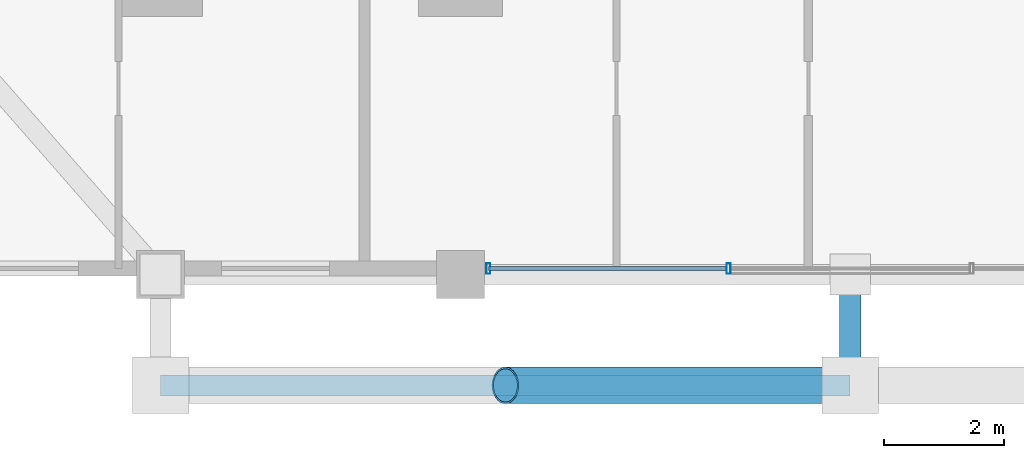
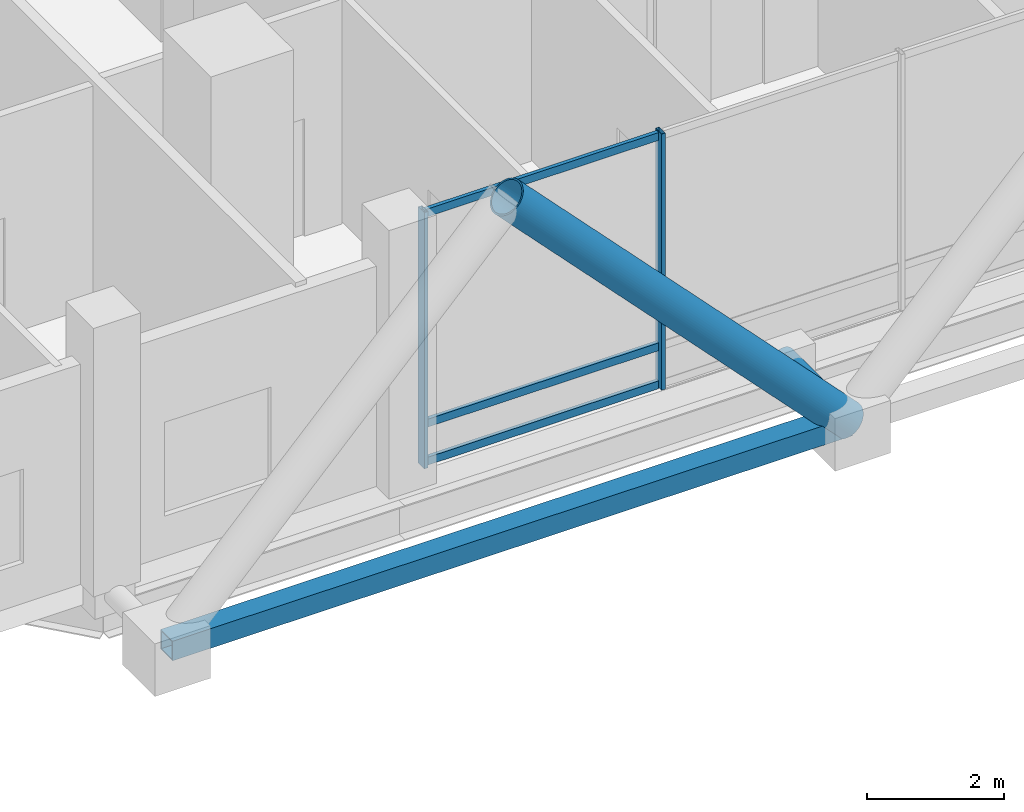
# One storey, part 2 of 33: 8 members, 1 element without a shape of its own.
"""IFC4 building model written with IfcOpenShell, lengths in metres."""

from ifc_helpers import new_model, si_unit, direction, frame, origin, origin_2d, place, context, subcontext, project, spatial, hollow_rectangle, hollow_circle, extrude, material, layer, layer_set, material_profile, profile_set, type_object, element, aggregate, save


model = new_model("IFC4")

# Units and contexts
model_context = context("Model", 3, precision=1e-05, world=origin(), true_north=direction((0.0, 1.0)))
body_context = subcontext(model_context, "Body", "Model", "MODEL_VIEW")
ifc_project = project(units=[si_unit("LENGTHUNIT", "METRE"), si_unit("AREAUNIT", "SQUARE_METRE"), si_unit("VOLUMEUNIT", "CUBIC_METRE"), si_unit("PLANEANGLEUNIT", "RADIAN"), si_unit("MASSUNIT", "GRAM", prefix="KILO")], contexts=[model_context])

# Site, building, storey
site_placement = place(None, origin())
site = spatial("IfcSite", under=ifc_project, at=site_placement, CompositionType="ELEMENT")
building_placement = place(site_placement, origin())
building = spatial("IfcBuilding", under=site, at=building_placement, Name="Barlavira Tower and Art Museum", CompositionType="ELEMENT")
storey_placement = place(building_placement, frame((0.0, 0.0, 27.60009765625)))
storey = spatial("IfcBuildingStorey", under=building, at=storey_placement, Name="L05", CompositionType="ELEMENT", Elevation=27.60009765625)

# Curtain wall, members
ifc_material_1 = material(Name="Low-iron coastal laminated glass", Category="glass")
ifc_layer = layer(ifc_material_1, 0.179931640625, Name="Low-iron coastal laminated glass")
ifc_layer_set = layer_set([ifc_layer], Name="Low-iron coastal laminated glass")
curtain_wall_type = type_object("IfcCurtainWallType", Name="Pale-Metal Unitised Curtain Wall Zone 1", PredefinedType="NOTDEFINED", material=ifc_layer_set)
curtain_wall_placement = place(storey_placement, origin())
curtain_wall = element("IfcCurtainWall", 1, at=curtain_wall_placement, inside=storey, type_object=curtain_wall_type, Name="L05 Curtain Wall CW1-L05-S-B3", PredefinedType="NOTDEFINED")
ifc_material_2 = material(Name="Pale anodised aluminium", Category="aluminium")
ifc_material_profile_1 = material_profile(ifc_material_2, hollow_rectangle(XDim=0.06494140625, YDim=0.179931640625, WallThickness=0.00390625, at=origin_2d()), Name="ALU-MULL 65x180x4")
ifc_profile_set_1 = profile_set([ifc_material_profile_1], Name="Pale anodised aluminium")
member_type_1 = type_object("IfcMemberType", Name="Curtain Wall Pale-Metal Mullion 65x180", PredefinedType="MULLION", material=ifc_profile_set_1)
member_1_placement = place(storey_placement, frame((-6.034912109375, -24.89990234375, 0.0), z_axis=(0.0, 0.0, 1.0), x_axis=(1.0, 0.0, 0.0)))
member_1 = element("IfcMember", 2, at=member_1_placement, type_object=member_type_1, Name="CW1-L05-S-B3 Mullion 0", PredefinedType="MULLION", context=body_context, shape_type="SweptSolid", body=[
    extrude(hollow_rectangle(XDim=0.06494140625, YDim=0.179931640625, WallThickness=0.00390625, at=origin_2d()), origin(), (0.0, 0.0, 1.0), 4.579833984375),
])
member_2_placement = place(storey_placement, frame((-2.026611328125, -24.89990234375, 0.0), z_axis=(0.0, 0.0, 1.0), x_axis=(1.0, 0.0, 0.0)))
member_2 = element("IfcMember", 3, at=member_2_placement, type_object=member_type_1, Name="CW1-L05-S-B3 Mullion 1", PredefinedType="MULLION", context=body_context, shape_type="SweptSolid", body=[
    extrude(hollow_rectangle(XDim=0.06494140625, YDim=0.179931640625, WallThickness=0.00390625, at=origin_2d()), origin(), (0.0, 0.0, 1.0), 4.579833984375),
])
ifc_material_profile_2 = material_profile(ifc_material_2, hollow_rectangle(XDim=0.06494140625, YDim=0.139892578125, WallThickness=0.00390625, at=origin_2d()), Name="ALU-TRAN 65x140x4")
ifc_profile_set_2 = profile_set([ifc_material_profile_2], Name="Pale anodised aluminium")
member_type_2 = type_object("IfcMemberType", Name="Curtain Wall Pale-Metal Transom 65x140", PredefinedType="USERDEFINED", material=ifc_profile_set_2)
member_3_placement = place(storey_placement, frame((-6.034912109375, -24.89990234375, 0.06982421875), z_axis=(1.0, 0.0, 0.0), x_axis=(0.0, 1.0, 0.0)))
member_3 = element("IfcMember", 4, at=member_3_placement, type_object=member_type_2, Name="CW1-L05-S-B3 Transom 0.1", ObjectType="TRANSOM", PredefinedType="USERDEFINED", context=body_context, shape_type="SweptSolid", body=[
    extrude(hollow_rectangle(XDim=0.06494140625, YDim=0.139892578125, WallThickness=0.00390625, at=origin_2d()), origin(), (0.0, 0.0, 1.0), 3.963134765625),
])
member_4_placement = place(storey_placement, frame((-6.034912109375, -24.89990234375, 0.75), z_axis=(1.0, 0.0, 0.0), x_axis=(0.0, 1.0, 0.0)))
member_4 = element("IfcMember", 5, at=member_4_placement, type_object=member_type_2, Name="CW1-L05-S-B3 Transom 0.2", ObjectType="TRANSOM", PredefinedType="USERDEFINED", context=body_context, shape_type="SweptSolid", body=[
    extrude(hollow_rectangle(XDim=0.06494140625, YDim=0.139892578125, WallThickness=0.00390625, at=origin_2d()), origin(), (0.0, 0.0, 1.0), 3.963134765625),
])
member_5_placement = place(storey_placement, frame((-6.034912109375, -24.89990234375, 4.510009765625), z_axis=(1.0, 0.0, 0.0), x_axis=(0.0, 1.0, 0.0)))
member_5 = element("IfcMember", 6, at=member_5_placement, type_object=member_type_2, Name="CW1-L05-S-B3 Transom 0.3", ObjectType="TRANSOM", PredefinedType="USERDEFINED", context=body_context, shape_type="SweptSolid", body=[
    extrude(hollow_rectangle(XDim=0.06494140625, YDim=0.139892578125, WallThickness=0.00390625, at=origin_2d()), origin(), (0.0, 0.0, 1.0), 3.963134765625),
])
aggregate(curtain_wall, [member_1, member_2, member_3, member_4, member_5])

# Members
ifc_material_3 = material(Name="Steel S355", Category="steel")
ifc_material_profile_3 = material_profile(ifc_material_3, hollow_circle(Radius=0.304931640625, WallThickness=0.028076171875, at=origin_2d()), Name="CHS 610.0x28.0")
ifc_profile_set_3 = profile_set([ifc_material_profile_3], Name="Steel S355")
member_type_3 = type_object("IfcMemberType", Name="Pale-Metal Exoskeleton Diagrid Tube CHS 610x28 Steel S355", PredefinedType="BRACE", material=ifc_profile_set_3)
member_6_placement = place(storey_placement, frame((0.0, -26.85009765625, -0.1201171875), z_axis=(-0.691905363236, 0.0, 0.721988205115), x_axis=(0.0, -1.0, 0.0)))
element("IfcMember", 7, at=member_6_placement, inside=storey, type_object=member_type_3, Name="L05 Exoskeleton Diagrid Tube S", PredefinedType="BRACE", context=body_context, shape_type="SweptSolid", body=[
    extrude(hollow_circle(Radius=0.304931640625, WallThickness=0.028076171875, at=origin_2d()), origin(), (0.0, 0.0, 1.0), 8.310302734375),
])
ifc_material_profile_4 = material_profile(ifc_material_3, hollow_rectangle(XDim=0.35009765625, YDim=0.35009765625, WallThickness=0.02001953125, at=origin_2d()), Name="SHS 350x350x20.0")
ifc_profile_set_4 = profile_set([ifc_material_profile_4], Name="Steel S355")
member_type_4 = type_object("IfcMemberType", Name="Pale-Metal Exoskeleton Ring Strut SHS 350x350x20 Steel S355", PredefinedType="STRUT", material=ifc_profile_set_4)
member_7_placement = place(storey_placement, frame((-11.5, -26.85009765625, -0.1201171875), z_axis=(1.0, 0.0, 0.0), x_axis=(0.0, 1.0, 0.0)))
element("IfcMember", 8, at=member_7_placement, inside=storey, type_object=member_type_4, Name="L05 Exoskeleton Ring Strut S", PredefinedType="STRUT", context=body_context, shape_type="SweptSolid", body=[
    extrude(hollow_rectangle(XDim=0.35009765625, YDim=0.35009765625, WallThickness=0.02001953125, at=origin_2d()), origin(), (0.0, 0.0, 1.0), 11.5),
])
ifc_material_profile_5 = material_profile(ifc_material_3, hollow_circle(Radius=0.177734375, WallThickness=0.01611328125, at=origin_2d()), Name="CHS 355.6x16.0")
ifc_profile_set_5 = profile_set([ifc_material_profile_5], Name="Steel S355")
member_type_5 = type_object("IfcMemberType", Name="Pale-Metal Exoskeleton Tie Strut CHS 356x16 Steel S355", PredefinedType="STRUT", material=ifc_profile_set_5)
member_8_placement = place(storey_placement, frame((0.0, -26.85009765625, -0.1201171875), z_axis=(0.0, 1.0, 0.0), x_axis=(-1.0, 0.0, 0.0)))
element("IfcMember", 9, at=member_8_placement, inside=storey, type_object=member_type_5, Name="L05 Exoskeleton Tie Strut S2", PredefinedType="STRUT", context=body_context, shape_type="SweptSolid", body=[
    extrude(hollow_circle(Radius=0.177734375, WallThickness=0.01611328125, at=origin_2d()), origin(), (0.0, 0.0, 1.0), 1.85009765625),
])

save(model, "model.ifc")
